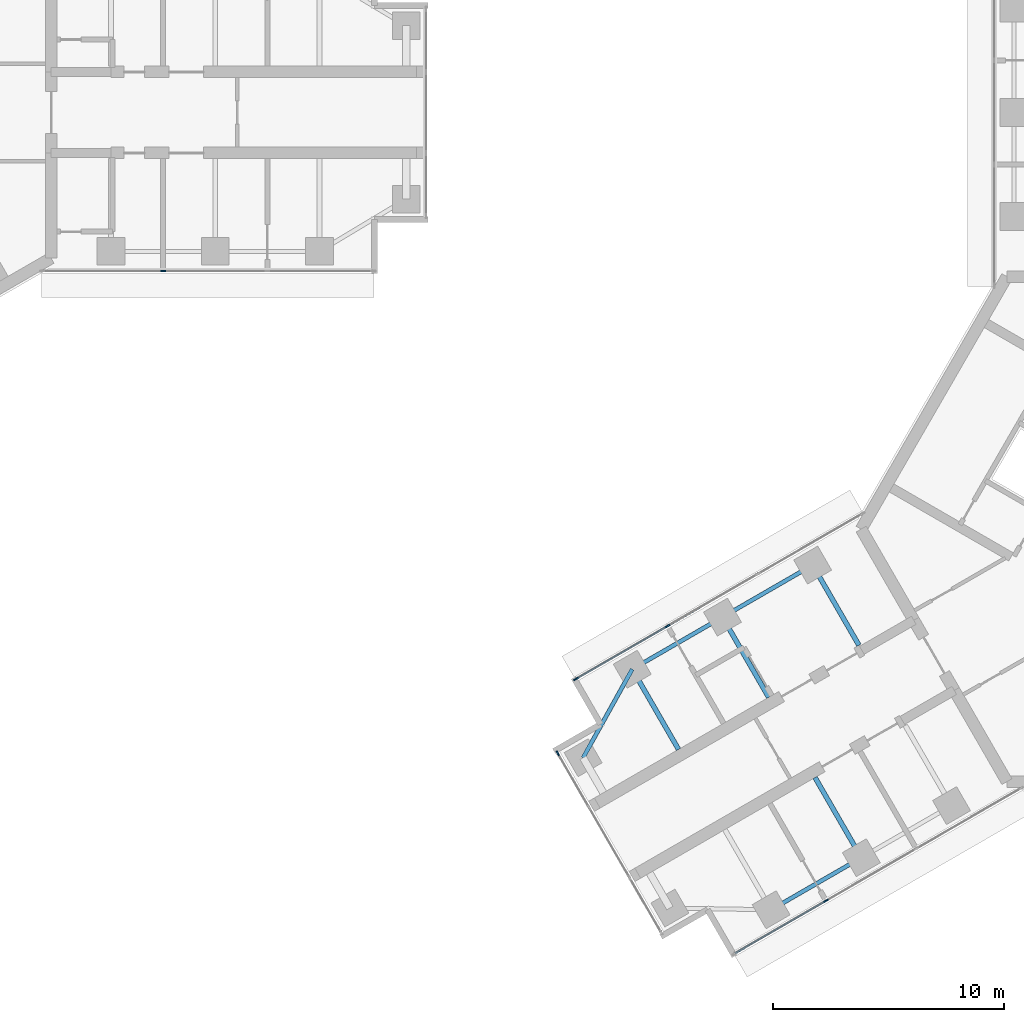
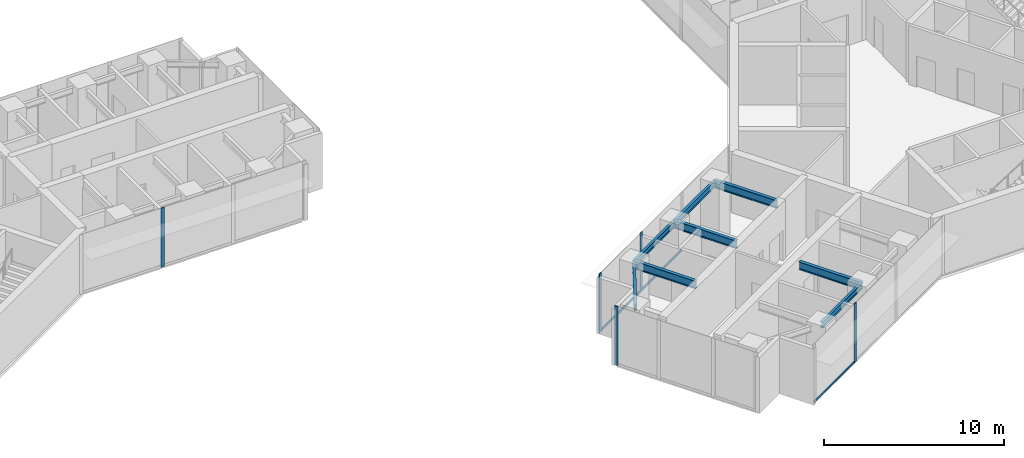
# One storey, part 3 of 17: 8 beams, 8 members, 4 elements without a shape of their own.
"""IFC4 building model written with IfcOpenShell, lengths in metres."""

from ifc_helpers import new_model, si_unit, direction, frame, origin, origin_2d, place, context, subcontext, project, spatial, rectangle, i_section, extrude, material, material_profile, profile_set, type_object, element, aggregate, save


model = new_model("IFC4")

# Units and contexts
model_context = context("Model", 3, precision=1e-05, world=origin(), true_north=direction((0.0, 1.0)))
body_context = subcontext(model_context, "Body", "Model", "MODEL_VIEW")
ifc_project = project(units=[si_unit("LENGTHUNIT", "METRE"), si_unit("AREAUNIT", "SQUARE_METRE"), si_unit("VOLUMEUNIT", "CUBIC_METRE"), si_unit("PLANEANGLEUNIT", "RADIAN"), si_unit("MASSUNIT", "GRAM", prefix="KILO")], contexts=[model_context])

# Site, building, storey
site_placement = place(None, origin())
site = spatial("IfcSite", under=ifc_project, at=site_placement, CompositionType="ELEMENT")
building_placement = place(site_placement, origin())
building = spatial("IfcBuilding", under=site, at=building_placement, Name="Upepo Twin Towers", CompositionType="ELEMENT")
storey_placement = place(building_placement, frame((0.0, 0.0, 186.5)))
storey = spatial("IfcBuildingStorey", under=building, at=storey_placement, Name="L45", CompositionType="ELEMENT", Elevation=186.5)

# Beams
ifc_material_1 = material(Name="Steel S355", Category="steel")
ifc_material_profile_1 = material_profile(ifc_material_1, i_section(OverallWidth=0.177978515625, OverallDepth=0.406494140625, WebThickness=0.0078125, FlangeThickness=0.0126953125, FilletRadius=0.01025390625, at=origin_2d()), Name="UB 406x178x60")
ifc_profile_set_1 = profile_set([ifc_material_profile_1], Name="Steel S355")
beam_type_1 = type_object("IfcBeamType", Name="Beam UB 406x178x60", PredefinedType="BEAM", material=ifc_profile_set_1)
beam_1_placement = place(storey_placement, frame((45.91162109375, -32.196044921875, 3.5966796875), z_axis=(-0.866031096941, -0.499990139034, 0.0), x_axis=(0.499990139034, -0.866031096941, 0.0)))
element("IfcBeam", 1, at=beam_1_placement, inside=storey, type_object=beam_type_1, Name="T2 edge beam BL 18.0-22.5", PredefinedType="BEAM", context=body_context, shape_type="SweptSolid", body=[
    extrude(i_section(OverallWidth=0.177978515625, OverallDepth=0.406494140625, WebThickness=0.0078125, FlangeThickness=0.0126953125, FilletRadius=0.01025390625, at=origin_2d()), origin(), (0.0, 0.0, 1.0), 4.5),
])
beam_2_placement = place(storey_placement, frame((43.80859375, -19.553955078125, 3.5966796875), z_axis=(-0.866017533419, -0.500013631625, 0.0), x_axis=(0.500013631625, -0.866017533419, 0.0)))
element("IfcBeam", 2, at=beam_2_placement, inside=storey, type_object=beam_type_1, Name="T2 edge beam BR 13.5-18.0", PredefinedType="BEAM", context=body_context, shape_type="SweptSolid", body=[
    extrude(i_section(OverallWidth=0.177978515625, OverallDepth=0.406494140625, WebThickness=0.0078125, FlangeThickness=0.0126953125, FilletRadius=0.01025390625, at=origin_2d()), origin(), (0.0, 0.0, 1.0), 4.499755859375),
])
beam_3_placement = place(storey_placement, frame((39.91162109375, -21.803955078125, 3.5966796875), z_axis=(-0.866031096941, -0.499990139034, 0.0), x_axis=(0.499990139034, -0.866031096941, 0.0)))
element("IfcBeam", 3, at=beam_3_placement, inside=storey, type_object=beam_type_1, Name="T2 edge beam BR 18.0-22.5", PredefinedType="BEAM", context=body_context, shape_type="SweptSolid", body=[
    extrude(i_section(OverallWidth=0.177978515625, OverallDepth=0.406494140625, WebThickness=0.0078125, FlangeThickness=0.0126953125, FilletRadius=0.01025390625, at=origin_2d()), origin(), (0.0, 0.0, 1.0), 4.5),
])
beam_4_placement = place(storey_placement, frame((36.014404296875, -24.053955078125, 3.5966796875), z_axis=(-0.485363242752, -0.874312600038, 0.0), x_axis=(0.874312600038, -0.485363242752, 0.0)))
element("IfcBeam", 4, at=beam_4_placement, inside=storey, type_object=beam_type_1, Name="T2 nose edge beam BR", PredefinedType="BEAM", context=body_context, shape_type="SweptSolid", body=[
    extrude(i_section(OverallWidth=0.177978515625, OverallDepth=0.406494140625, WebThickness=0.0078125, FlangeThickness=0.0126953125, FilletRadius=0.01025390625, at=origin_2d()), origin(), (0.0, 0.0, 1.0), 4.373046875),
])
ifc_material_2 = material(Name="Steel S355", Category="steel")
ifc_material_profile_2 = material_profile(ifc_material_2, i_section(OverallWidth=0.209228515625, OverallDepth=0.533203125, WebThickness=0.010009765625, FlangeThickness=0.015625, FilletRadius=0.0126953125, at=origin_2d()), Name="UB 533x210x92")
ifc_profile_set_2 = profile_set([ifc_material_profile_2], Name="Steel S355")
beam_type_2 = type_object("IfcBeamType", Name="Beam UB 533x210x92", PredefinedType="BEAM", material=ifc_profile_set_2)
for number, where, z_axis, x_axis, name in (
    (5, (45.91162109375, -32.196044921875, 3.533447265625), (-0.49999894854, 0.866026010844, 0.0), (-0.866026010844, -0.49999894854, 0.0), "T2 girder BL at 18.0"),
    (6, (43.80859375, -19.553955078125, 3.533447265625), (0.49999894854, -0.866026010844, 0.0), (0.866026010844, 0.49999894854, 0.0), "T2 girder BR at 13.5"),
    (7, (39.91162109375, -21.803955078125, 3.533447265625), (0.49999894854, -0.866026010844, 0.0), (0.866026010844, 0.49999894854, 0.0), "T2 girder BR at 18.0"),
    (8, (36.014404296875, -24.053955078125, 3.533447265625), (0.49999894854, -0.866026010844, 0.0), (0.866026010844, 0.49999894854, 0.0), "T2 girder BR at 22.5"),
):
    element("IfcBeam", number, at=place(storey_placement, frame(where, z_axis=z_axis, x_axis=x_axis)), inside=storey, type_object=beam_type_2, Name=name, PredefinedType="BEAM", context=body_context, shape_type="SweptSolid", body=[
        extrude(i_section(OverallWidth=0.209228515625, OverallDepth=0.533203125, WebThickness=0.010009765625, FlangeThickness=0.015625, FilletRadius=0.0126953125, at=origin_2d()), origin(), (0.0, 0.0, 1.0), 4.0),
    ])

# Curtain wall, member
ifc_material_3 = material(Name="Aluminium and fritted glass", Category="aluminium")
curtain_wall_type = type_object("IfcCurtainWallType", Name="Tower curtain wall TW3, fritted glass", PredefinedType="NOTDEFINED", material=ifc_material_3)
curtain_wall_1_placement = place(storey_placement, origin())
curtain_wall_1 = element("IfcCurtainWall", 9, at=curtain_wall_1_placement, inside=storey, type_object=curtain_wall_type, Name="T1 L45 wing A flank R curtain wall", PredefinedType="NOTDEFINED")
ifc_material_4 = material(Name="Aluminium mullion", Category="aluminium")
ifc_material_profile_3 = material_profile(ifc_material_4, rectangle(XDim=0.06494140625, YDim=0.22509765625, at=origin_2d()), Name="MULLION 65x225")
ifc_profile_set_3 = profile_set([ifc_material_profile_3], Name="Aluminium mullion")
member_type_1 = type_object("IfcMemberType", Name="Mullion 65x225 TW3", PredefinedType="MULLION", material=ifc_profile_set_3)
member_1_placement = place(storey_placement, frame((15.75, -6.85009765625, 0.0), z_axis=(0.0, 0.0, 1.0), x_axis=(0.0, -1.0, 0.0)))
member_1 = element("IfcMember", 10, at=member_1_placement, type_object=member_type_1, Name="T1 L45 wing A flank R curtain wall mullion 3", PredefinedType="MULLION", context=body_context, shape_type="SweptSolid", body=[
    extrude(rectangle(XDim=0.06494140625, YDim=0.22509765625, at=origin_2d()), origin(), (0.0, 0.0, 1.0), 4.0),
])
aggregate(curtain_wall_1, [member_1])

curtain_wall_2_placement = place(storey_placement, origin())
curtain_wall_2 = element("IfcCurtainWall", 11, at=curtain_wall_2_placement, inside=storey, type_object=curtain_wall_type, Name="T2 L45 wing B flank L curtain wall", PredefinedType="NOTDEFINED")
member_2_placement = place(storey_placement, frame((44.387939453125, -34.057373046875, 0.0), z_axis=(0.0, 0.0, 1.0), x_axis=(0.500000026527, -0.866025388469, 0.0)))
member_2 = element("IfcMember", 12, at=member_2_placement, type_object=member_type_1, Name="T2 L45 wing B flank L curtain wall mullion 3", PredefinedType="MULLION", context=body_context, shape_type="SweptSolid", body=[
    extrude(rectangle(XDim=0.06494140625, YDim=0.22509765625, at=origin_2d()), origin(), (0.0, 0.0, 1.0), 4.0),
])

# Curtain wall, members
curtain_wall_3_placement = place(storey_placement, origin())
curtain_wall_3 = element("IfcCurtainWall", 13, at=curtain_wall_3_placement, inside=storey, type_object=curtain_wall_type, Name="T2 L45 wing B flank R curtain wall", PredefinedType="NOTDEFINED")
member_3_placement = place(storey_placement, frame((33.58251953125, -24.4765625, 0.0), z_axis=(0.0, 0.0, 1.0), x_axis=(-0.500000026527, 0.866025388469, 0.0)))
member_3 = element("IfcMember", 14, at=member_3_placement, type_object=member_type_1, Name="T2 L45 wing B flank R curtain wall mullion 1", PredefinedType="MULLION", context=body_context, shape_type="SweptSolid", body=[
    extrude(rectangle(XDim=0.06494140625, YDim=0.22509765625, at=origin_2d()), origin(), (0.0, 0.0, 1.0), 4.0),
])
member_4_placement = place(storey_placement, frame((37.5380859375, -22.192626953125, 0.0), z_axis=(0.0, 0.0, 1.0), x_axis=(-0.500000026527, 0.866025388469, 0.0)))
member_4 = element("IfcMember", 15, at=member_4_placement, type_object=member_type_1, Name="T2 L45 wing B flank R curtain wall mullion 2", PredefinedType="MULLION", context=body_context, shape_type="SweptSolid", body=[
    extrude(rectangle(XDim=0.06494140625, YDim=0.22509765625, at=origin_2d()), origin(), (0.0, 0.0, 1.0), 4.0),
])

# Curtain wall, member
curtain_wall_4_placement = place(storey_placement, origin())
curtain_wall_4 = element("IfcCurtainWall", 16, at=curtain_wall_4_placement, inside=storey, type_object=curtain_wall_type, Name="T2 L45 wing B nose curtain wall", PredefinedType="NOTDEFINED")
member_5_placement = place(storey_placement, frame((32.796875, -27.68115234375, 0.0), z_axis=(0.0, 0.0, 1.0), x_axis=(0.866025386174, 0.500000030502, 0.0)))
member_5 = element("IfcMember", 17, at=member_5_placement, type_object=member_type_1, Name="T2 L45 wing B nose curtain wall mullion 1", PredefinedType="MULLION", context=body_context, shape_type="SweptSolid", body=[
    extrude(rectangle(XDim=0.06494140625, YDim=0.22509765625, at=origin_2d()), origin(), (0.0, 0.0, 1.0), 4.0),
])
aggregate(curtain_wall_4, [member_5])

# Member
ifc_material_5 = material(Name="Aluminium transom", Category="aluminium")
ifc_material_profile_4 = material_profile(ifc_material_5, rectangle(XDim=0.06494140625, YDim=0.14990234375, at=origin_2d()), Name="TRANSOM 65x150")
ifc_profile_set_4 = profile_set([ifc_material_profile_4], Name="Aluminium transom")
member_type_2 = type_object("IfcMemberType", Name="Transom 65x150 TW3", PredefinedType="USERDEFINED", material=ifc_profile_set_4)
member_6_placement = place(storey_placement, frame((44.35986328125, -34.073486328125, 0.074951171875), z_axis=(-0.866035699072, -0.499982167615, 0.0), x_axis=(0.499982167615, -0.866035699072, 0.0)))
member_6 = element("IfcMember", 18, at=member_6_placement, type_object=member_type_2, Name="T2 L45 wing B flank L curtain wall transom 3", ObjectType="TRANSOM", PredefinedType="USERDEFINED", context=body_context, shape_type="SweptSolid", body=[
    extrude(rectangle(XDim=0.06494140625, YDim=0.14990234375, at=origin_2d()), origin(), (0.0, 0.0, 1.0), 4.502685546875),
])

aggregate(curtain_wall_2, [member_2, member_6])

member_7_placement = place(storey_placement, frame((33.610595703125, -24.460205078125, 0.074951171875), z_axis=(0.866022143554, 0.500005646842, 0.0), x_axis=(-0.500005646842, 0.866022143554, 0.0)))
member_7 = element("IfcMember", 19, at=member_7_placement, type_object=member_type_2, Name="T2 L45 wing B flank R curtain wall transom 1", ObjectType="TRANSOM", PredefinedType="USERDEFINED", context=body_context, shape_type="SweptSolid", body=[
    extrude(rectangle(XDim=0.06494140625, YDim=0.14990234375, at=origin_2d()), origin(), (0.0, 0.0, 1.0), 4.50244140625),
])

member_8_placement = place(storey_placement, frame((37.566162109375, -22.176513671875, 0.074951171875), z_axis=(0.866022410713, 0.500005184116, 0.0), x_axis=(-0.500005184116, 0.866022410713, 0.0)))
member_8 = element("IfcMember", 20, at=member_8_placement, type_object=member_type_2, Name="T2 L45 wing B flank R curtain wall transom 2", ObjectType="TRANSOM", PredefinedType="USERDEFINED", context=body_context, shape_type="SweptSolid", body=[
    extrude(rectangle(XDim=0.06494140625, YDim=0.14990234375, at=origin_2d()), origin(), (0.0, 0.0, 1.0), 4.43505859375),
])

aggregate(curtain_wall_3, [member_3, member_4, member_7, member_8])

save(model, "model.ifc")
